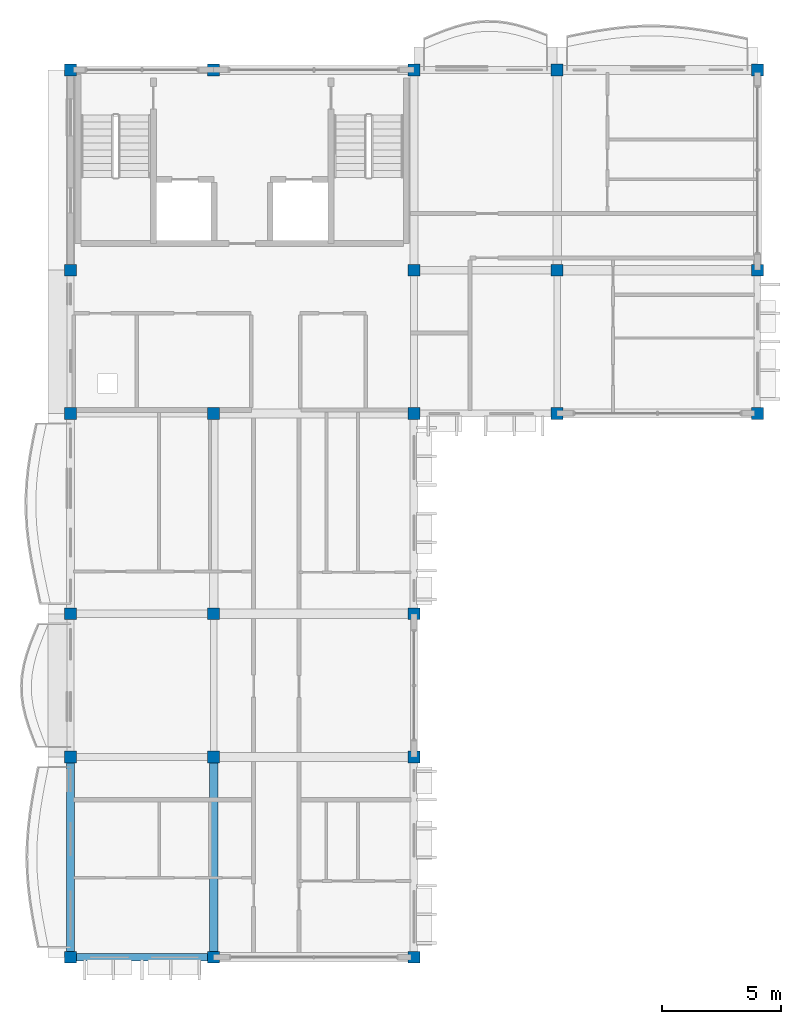
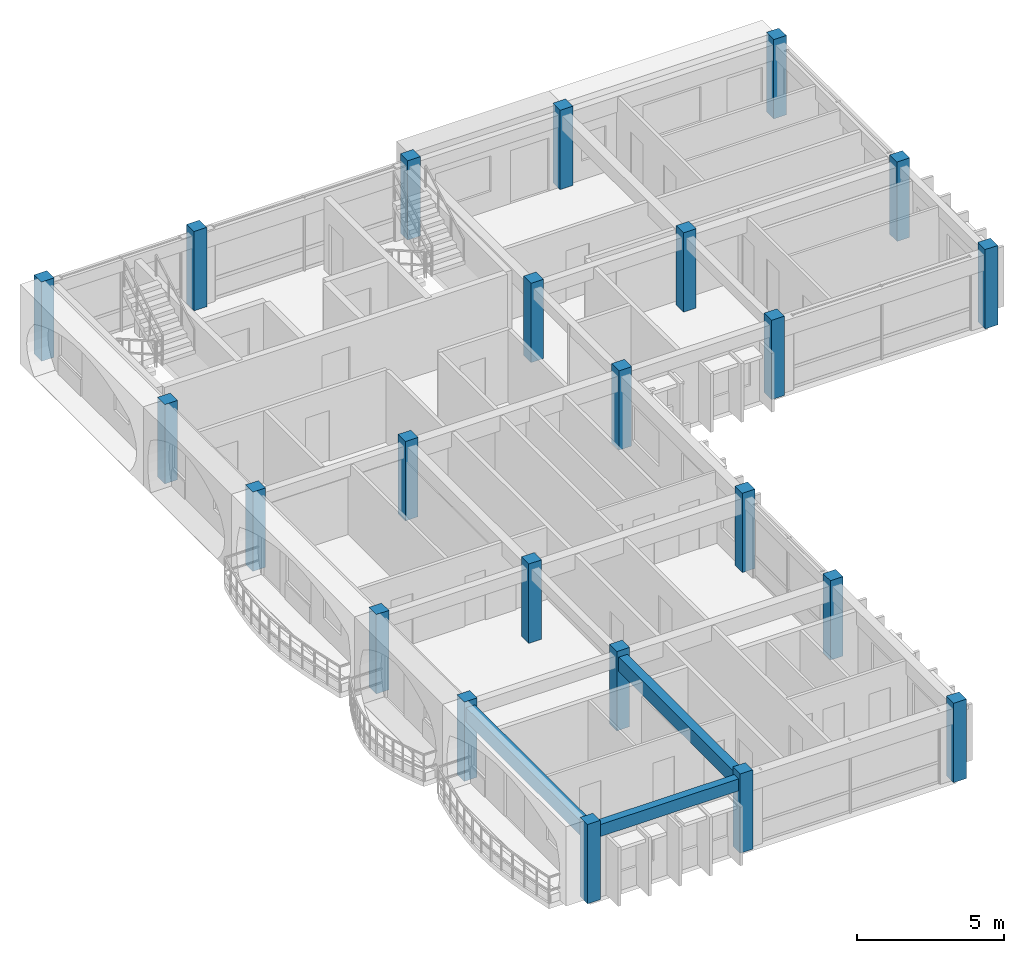
# One storey, part 1 of 10: 23 columns, 3 beams.
"""IFC4 building model written with IfcOpenShell, lengths in metres."""

import ifcopenshell
import ifcopenshell.guid

model = None  # the IFC model being written
_history = None  # IfcOwnerHistory: only IFC2X3 demands one
_inside = {}  # id of a spatial element -> (the spatial element, [elements in it])
_under = {}  # id of a project, library or spatial element -> (it, [spatial elements below it])
_declared = {}  # id of a project -> (the project, [libraries it declares])
_typed = {}  # id of a type object -> (the type object, [elements of that type])
_made_of = {}  # id of a material, layer set ... -> (it, [elements and type objects made of it])


def new_model(schema):
    """Start an empty IFC model of exactly this schema.

    Asked for "IFC4X3", IfcOpenShell would pick the latest addendum, in which some entities
    have other attributes; the version numbers below select the first issue.
    IFC2X3 requires an IfcOwnerHistory on every rooted entity: one is made here for all.
    """
    global model, _history
    if schema == "IFC4X3":
        model = ifcopenshell.file(schema_version=(4, 3, 0, 0))
    else:
        model = ifcopenshell.file(schema=schema)
    _inside.clear()
    _under.clear()
    _declared.clear()
    _typed.clear()
    _made_of.clear()
    _history = None
    if model.schema == "IFC2X3":
        org = make("IfcOrganization", Name="unknown")
        user = make(
            "IfcPersonAndOrganization",
            ThePerson=make("IfcPerson", FamilyName="unknown"),
            TheOrganization=org,
        )
        app = make(
            "IfcApplication",
            ApplicationDeveloper=org,
            Version="unknown",
            ApplicationFullName="unknown",
            ApplicationIdentifier="unknown",
        )
        _history = make(
            "IfcOwnerHistory",
            OwningUser=user,
            OwningApplication=app,
            ChangeAction="ADDED",
            CreationDate=0,
        )
    return model


def make(cls, **values):
    """One entity of the class cls with the attributes given. An attribute that is None is left unset."""
    return model.create_entity(
        cls, **{name: value for name, value in values.items() if value is not None}
    )


def rooted(cls, **values):
    """An entity with a GlobalId (a new one), such as an element, a storey or a relation."""
    return make(cls, GlobalId=ifcopenshell.guid.new(), OwnerHistory=_history, **values)


def si_unit(unit_type, name, prefix=None):
    """IfcSIUnit, for example si_unit("LENGTHUNIT", "METRE", prefix="MILLI")."""
    return make("IfcSIUnit", UnitType=unit_type, Prefix=prefix, Name=name)


def assignment(units):
    """IfcUnitAssignment: the units of a project."""
    return None if units is None else make("IfcUnitAssignment", Units=units)


def point(xyz):
    """IfcCartesianPoint."""
    return None if xyz is None else make("IfcCartesianPoint", Coordinates=xyz)


def direction(xyz):
    """IfcDirection."""
    return None if xyz is None else make("IfcDirection", DirectionRatios=xyz)


def frame(location, z_axis=None, x_axis=None):
    """IfcAxis2Placement3D, a coordinate frame: its origin and axes. An axis left out is left unset."""
    return make(
        "IfcAxis2Placement3D",
        Location=point(location),
        Axis=direction(z_axis),
        RefDirection=direction(x_axis),
    )


def frame_2d(location, x_axis=None):
    """IfcAxis2Placement2D, a coordinate frame in the plane: its origin and x axis."""
    return make(
        "IfcAxis2Placement2D", Location=point(location), RefDirection=direction(x_axis)
    )


def origin():
    """The frame at (0, 0, 0) with its axes left unset."""
    return frame((0.0, 0.0, 0.0))


def origin_2d():
    """The frame at (0, 0) in the plane with its x axis left unset."""
    return frame_2d((0.0, 0.0))


def place(relative_to, where):
    """IfcLocalPlacement: puts the frame where relative to a parent placement (None: the world)."""
    return make(
        "IfcLocalPlacement", PlacementRelTo=relative_to, RelativePlacement=where
    )


def context(
    kind, dimensions, precision=None, world=None, true_north=None, identifier=None
):
    """IfcGeometricRepresentationContext, for example the 3D "Model" context."""
    return make(
        "IfcGeometricRepresentationContext",
        ContextIdentifier=identifier,
        ContextType=kind,
        CoordinateSpaceDimension=dimensions,
        Precision=precision,
        WorldCoordinateSystem=world,
        TrueNorth=true_north,
    )


def subcontext(parent, identifier, kind, view, scale=None):
    """IfcGeometricRepresentationSubContext, for example "Body" below "Model"."""
    return make(
        "IfcGeometricRepresentationSubContext",
        ContextIdentifier=identifier,
        ContextType=kind,
        ParentContext=parent,
        TargetScale=scale,
        TargetView=view,
    )


def project(units=None, contexts=None):
    """IfcProject with its units and contexts."""
    return rooted(
        "IfcProject",
        Name="project",
        RepresentationContexts=contexts,
        UnitsInContext=assignment(units),
    )


def spatial(cls, under=None, at=None, **own):
    """A site, building, storey or space (cls), placed at a placement, below another one or the project."""
    s = rooted(cls, ObjectPlacement=at, **own)
    if under is not None:
        _under.setdefault(under.id(), (under, []))[1].append(s)
    return s


def profile(cls, at=None, kind="AREA", **sizes):
    """A parametric profile (cls). Its sizes go by their IFC names, for example OverallWidth=200.0."""
    return make(cls, ProfileType=kind, Position=at, **sizes)


def rectangle(**sizes):
    """IfcRectangleProfileDef."""
    return profile("IfcRectangleProfileDef", **sizes)


def extrude(swept, where, along, depth):
    """IfcExtrudedAreaSolid: the profile swept, set in the frame where, extruded along a direction by depth."""
    return make(
        "IfcExtrudedAreaSolid",
        SweptArea=swept,
        Position=where,
        ExtrudedDirection=direction(along),
        Depth=depth,
    )


def shape(context_of_items, identifier, shape_type, items):
    """IfcShapeRepresentation: the items that make up one representation, for example the "Body"."""
    return make(
        "IfcShapeRepresentation",
        ContextOfItems=context_of_items,
        RepresentationIdentifier=identifier,
        RepresentationType=shape_type,
        Items=items,
    )


def material(Name=None, Category=None):
    """IfcMaterial."""
    return make("IfcMaterial", Name=Name, Category=Category)


def material_profile(
    of_material, cross_section, Name=None, Category=None, Priority=None
):
    """IfcMaterialProfile: a cross section and its material."""
    return make(
        "IfcMaterialProfile",
        Name=Name,
        Material=of_material,
        Profile=cross_section,
        Priority=Priority,
        Category=Category,
    )


def profile_set(profiles, Name=None, composite=None):
    """IfcMaterialProfileSet."""
    return make(
        "IfcMaterialProfileSet",
        Name=Name,
        MaterialProfiles=profiles,
        CompositeProfile=composite,
    )


def made_of(thing, what):
    """Note that an element or type object is made of a material, layer set ...; save() writes the relation."""
    if what is not None:
        _made_of.setdefault(what.id(), (what, []))[1].append(thing)
    return thing


def type_object(cls, material=None, **own):
    """A type object (cls), such as IfcWallType, which elements share."""
    return made_of(rooted(cls, **own), material)


def element(
    cls,
    number,
    at=None,
    inside=None,
    cuts=None,
    type_object=None,
    material=None,
    context=None,
    identifier="Body",
    shape_type=None,
    held_by="IfcProductDefinitionShape",
    body=None,
    shapes=None,
    **own,
):
    """One element of the class cls, such as IfcWall. Its Tag is "e" and its number.

    at: its placement. inside: the storey or other place that contains it. cuts: it is an
    opening in that element (IfcRelVoidsElement). A single representation is given by context,
    identifier, shape_type and body (its items); several are given by shapes. held_by: the class
    of the entity that holds the representations. save() writes the other relations.
    """
    e = rooted(cls, Tag="e%d" % number, ObjectPlacement=at, **own)
    if body is not None:
        shapes = [shape(context, identifier, shape_type, body)]
    if shapes is not None:
        e.Representation = make(held_by, Representations=shapes)
    if inside is not None:
        _inside.setdefault(inside.id(), (inside, []))[1].append(e)
    if cuts is not None:
        rooted(
            "IfcRelVoidsElement", RelatingBuildingElement=cuts, RelatedOpeningElement=e
        )
    if type_object is not None:
        _typed.setdefault(type_object.id(), (type_object, []))[1].append(e)
    return made_of(e, material)


def aggregate(whole, parts):
    """IfcRelAggregates: a whole, such as a stair, and the parts it consists of."""
    return rooted("IfcRelAggregates", RelatingObject=whole, RelatedObjects=parts)


def save(model, path):
    """Write the relations noted so far, then the file.

    IfcRelAggregates (storeys below a building ...), IfcRelContainedInSpatialStructure (elements
    in a storey), IfcRelDefinesByType, IfcRelAssociatesMaterial and IfcRelDeclares: one each for
    every whole, place, type object, material and project.
    """
    for whole, parts in _under.values():
        aggregate(whole, parts)
    for where, things in _inside.values():
        rooted(
            "IfcRelContainedInSpatialStructure",
            RelatedElements=things,
            RelatingStructure=where,
        )
    for kind, things in _typed.values():
        rooted("IfcRelDefinesByType", RelatedObjects=things, RelatingType=kind)
    for what, things in _made_of.values():
        rooted("IfcRelAssociatesMaterial", RelatedObjects=things, RelatingMaterial=what)
    for by, libraries in _declared.values():
        rooted("IfcRelDeclares", RelatingContext=by, RelatedDefinitions=libraries)
    model.write(path)


model = new_model("IFC4")

# Units and contexts
model_context = context("Model", 3, precision=1e-05, world=origin(), true_north=direction((0.0, 1.0)))
body_context = subcontext(model_context, "Body", "Model", "MODEL_VIEW")
ifc_project = project(units=[si_unit("LENGTHUNIT", "METRE"), si_unit("AREAUNIT", "SQUARE_METRE"), si_unit("VOLUMEUNIT", "CUBIC_METRE"), si_unit("PLANEANGLEUNIT", "RADIAN"), si_unit("MASSUNIT", "GRAM", prefix="KILO"), si_unit("THERMODYNAMICTEMPERATUREUNIT", "KELVIN")], contexts=[model_context])

# Site, building, storey
site_placement = place(None, origin())
site = spatial("IfcSite", under=ifc_project, at=site_placement, CompositionType="ELEMENT")
building_placement = place(site_placement, origin())
building = spatial("IfcBuilding", under=site, at=building_placement, Name="Thalorik Housing Commons", CompositionType="ELEMENT")
storey_placement = place(building_placement, frame((0.0, 0.0, 44.39990234375)))
storey = spatial("IfcBuildingStorey", under=building, at=storey_placement, Name="L13", CompositionType="ELEMENT", Elevation=44.39990234375)

# Columns
ifc_material = material(Name="Precast concrete C40/50", Category="concrete")
ifc_material_profile_1 = material_profile(ifc_material, rectangle(XDim=0.5, YDim=0.5, at=origin_2d()), Name="PC 500x500", Category="concrete")
ifc_profile_set_1 = profile_set([ifc_material_profile_1], Name="Precast concrete C40/50")
column_type = type_object("IfcColumnType", Name="STR-COL-PC500", PredefinedType="COLUMN", material=ifc_profile_set_1)
for number, where, z_axis, x_axis, name in (
    (1, (8.39990234375, 86.39990234375, 0.0), (0.0, 0.0, 1.0), (1.0, 0.0, 0.0), "L13 Column C-500"),
    (2, (8.39990234375, 94.800048828125, 0.0), (0.0, 0.0, 1.0), (1.0, 0.0, 0.0), "L13 Column C-500"),
    (3, (8.39990234375, 100.800048828125, 0.0), (0.0, 0.0, 1.0), (1.0, 0.0, 0.0), "L13 Column C-500"),
    (4, (8.39990234375, 109.199951171875, 0.0), (0.0, 0.0, 1.0), (1.0, 0.0, 0.0), "L13 Column C-500"),
    (5, (8.39990234375, 115.199951171875, 0.0), (0.0, 0.0, 1.0), (1.0, 0.0, 0.0), "L13 Column C-500"),
    (6, (8.39990234375, 123.60009765625, 0.0), (0.0, 0.0, 1.0), (1.0, 0.0, 0.0), "L13 Column C-500"),
    (7, (14.39990234375, 86.39990234375, 0.0), (0.0, 0.0, 1.0), (1.0, 0.0, 0.0), "L13 Column C-500"),
    (8, (14.39990234375, 94.800048828125, 0.0), (0.0, 0.0, 1.0), (1.0, 0.0, 0.0), "L13 Column C-500"),
    (9, (14.39990234375, 100.800048828125, 0.0), (0.0, 0.0, 1.0), (1.0, 0.0, 0.0), "L13 Column C-500"),
    (10, (14.39990234375, 109.199951171875, 0.0), (0.0, 0.0, 1.0), (1.0, 0.0, 0.0), "L13 Column C-500"),
    (11, (14.39990234375, 123.60009765625, 0.0), (0.0, 0.0, 1.0), (1.0, 0.0, 0.0), "L13 Column C-500"),
    (12, (22.800048828125, 86.39990234375, 0.0), (0.0, 0.0, 1.0), (1.0, 0.0, 0.0), "L13 Column C-500"),
    (13, (22.800048828125, 94.800048828125, 0.0), (0.0, 0.0, 1.0), (1.0, 0.0, 0.0), "L13 Column C-500"),
    (14, (22.800048828125, 100.800048828125, 0.0), (0.0, 0.0, 1.0), (1.0, 0.0, 0.0), "L13 Column C-500"),
    (15, (22.800048828125, 109.199951171875, 0.0), (0.0, 0.0, 1.0), (1.0, 0.0, 0.0), "L13 Column C-500"),
    (16, (22.800048828125, 115.199951171875, 0.0), (0.0, 0.0, 1.0), (1.0, 0.0, 0.0), "L13 Column C-500"),
    (17, (22.800048828125, 123.60009765625, 0.0), (0.0, 0.0, 1.0), (1.0, 0.0, 0.0), "L13 Column C-500"),
    (18, (28.800048828125, 109.199951171875, 0.0), (0.0, 0.0, 1.0), (1.0, 0.0, 0.0), "L13 Column C-500"),
    (19, (28.800048828125, 115.199951171875, 0.0), (0.0, 0.0, 1.0), (1.0, 0.0, 0.0), "L13 Column C-500"),
    (20, (28.800048828125, 123.60009765625, 0.0), (0.0, 0.0, 1.0), (1.0, 0.0, 0.0), "L13 Column C-500"),
    (21, (37.199951171875, 109.199951171875, 0.0), (0.0, 0.0, 1.0), (1.0, 0.0, 0.0), "L13 Column C-500"),
    (22, (37.199951171875, 115.199951171875, 0.0), (0.0, 0.0, 1.0), (1.0, 0.0, 0.0), "L13 Column C-500"),
    (23, (37.199951171875, 123.60009765625, 0.0), (0.0, 0.0, 1.0), (1.0, 0.0, 0.0), "L13 Column C-500"),
):
    element("IfcColumn", number, at=place(storey_placement, frame(where, z_axis=z_axis, x_axis=x_axis)), inside=storey, type_object=column_type, Name=name, PredefinedType="COLUMN", context=body_context, shape_type="SweptSolid", body=[
        extrude(rectangle(XDim=0.5, YDim=0.5, at=origin_2d()), origin(), (0.0, 0.0, 1.0), 3.300048828125),
    ])

# Beams
ifc_material_profile_2 = material_profile(ifc_material, rectangle(XDim=0.300048828125, YDim=0.5, at=origin_2d()), Name="PC 300x500", Category="concrete")
ifc_profile_set_2 = profile_set([ifc_material_profile_2], Name="Precast concrete C40/50")
beam_type_1 = type_object("IfcBeamType", Name="STR-BM-PC300x500", PredefinedType="BEAM", material=ifc_profile_set_2)
beam_placement = place(storey_placement, frame((8.60009765625, 86.39990234375, 2.7900390625), z_axis=(1.0, 0.0, 0.0), x_axis=(0.0, 1.0, 0.0)))
element("IfcBeam", 24, at=beam_placement, inside=storey, type_object=beam_type_1, Name="L13 Beam B-500", PredefinedType="BEAM", context=body_context, shape_type="SweptSolid", body=[
    extrude(rectangle(XDim=0.300048828125, YDim=0.5, at=origin_2d()), origin(), (0.0, 0.0, 1.0), 5.599853515625),
])
ifc_material_profile_3 = material_profile(ifc_material, rectangle(XDim=0.35009765625, YDim=0.60009765625, at=origin_2d()), Name="PC 350x600", Category="concrete")
ifc_profile_set_3 = profile_set([ifc_material_profile_3], Name="Precast concrete C40/50")
beam_type_2 = type_object("IfcBeamType", Name="STR-BM-PC350x600", PredefinedType="BEAM", material=ifc_profile_set_3)
for number, where, z_axis, x_axis, name in (
    (25, (8.39990234375, 86.60009765625, 2.739990234375), (0.0, 1.0, 0.0), (-1.0, 0.0, 0.0), "L13 Beam B-600"),
    (26, (14.39990234375, 86.60009765625, 2.739990234375), (0.0, 1.0, 0.0), (-1.0, 0.0, 0.0), "L13 Beam B-600"),
):
    element("IfcBeam", number, at=place(storey_placement, frame(where, z_axis=z_axis, x_axis=x_axis)), inside=storey, type_object=beam_type_2, Name=name, PredefinedType="BEAM", context=body_context, shape_type="SweptSolid", body=[
        extrude(rectangle(XDim=0.35009765625, YDim=0.60009765625, at=origin_2d()), origin(), (0.0, 0.0, 1.0), 8.0),
    ])

save(model, "model.ifc")
